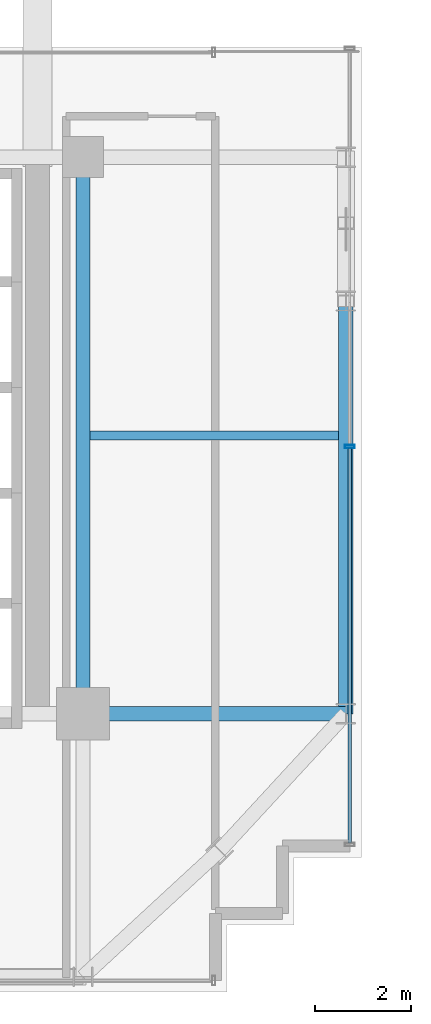
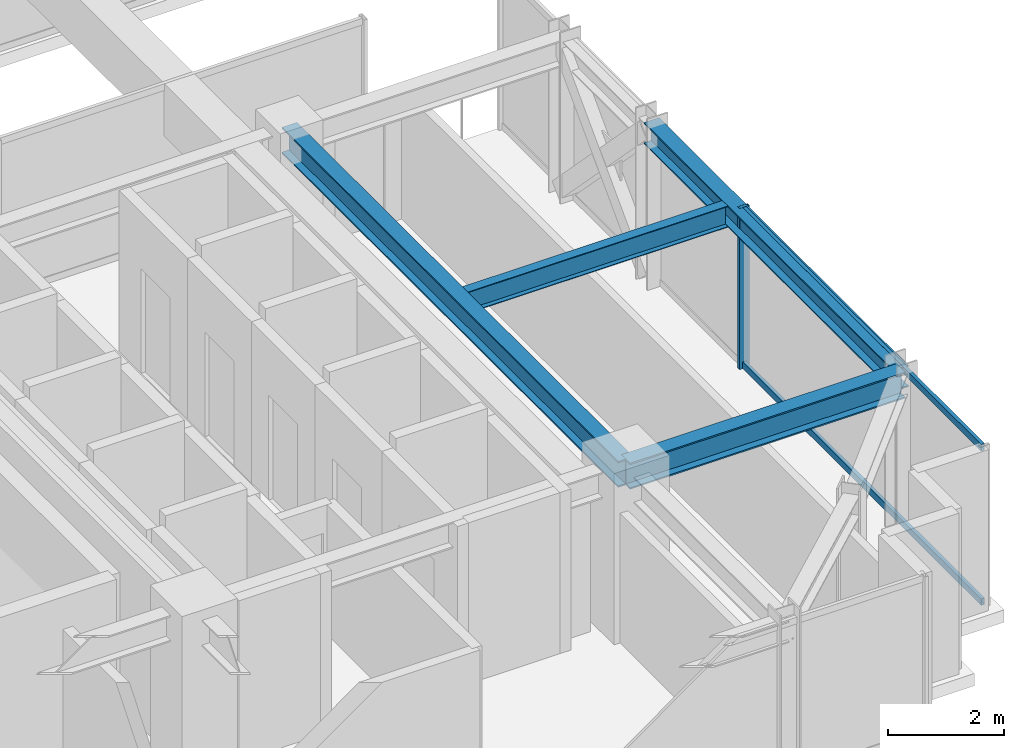
# One storey, part 14 of 38: 4 beams, 3 members, 1 element without a shape of its own.
"""IFC4 building model written with IfcOpenShell, lengths in metres."""

from ifc_helpers import new_model, si_unit, direction, frame, origin, origin_2d, place, context, subcontext, project, spatial, hollow_rectangle, i_section, extrude, source, transform, mapped, material, material_profile, profile_set, type_object, element, aggregate, save


model = new_model("IFC4")

# Units and contexts
model_context = context("Model", 3, precision=1e-05, world=origin(), true_north=direction((0.0, 1.0)))
body_context = subcontext(model_context, "Body", "Model", "MODEL_VIEW")
ifc_project = project(units=[si_unit("LENGTHUNIT", "METRE"), si_unit("AREAUNIT", "SQUARE_METRE"), si_unit("VOLUMEUNIT", "CUBIC_METRE"), si_unit("PLANEANGLEUNIT", "RADIAN"), si_unit("MASSUNIT", "GRAM", prefix="KILO")], contexts=[model_context])

# Site, building, storey
site_placement = place(None, origin())
site = spatial("IfcSite", under=ifc_project, at=site_placement, CompositionType="ELEMENT")
building_placement = place(site_placement, origin())
building = spatial("IfcBuilding", under=site, at=building_placement, Name="Nahalor Promenade Grand Hotel", CompositionType="ELEMENT")
storey_placement = place(building_placement, frame((0.0, 0.0, 163.60009765625)))
storey = spatial("IfcBuildingStorey", under=building, at=storey_placement, Name="L41", CompositionType="ELEMENT", Elevation=163.60009765625)

# Beams
ifc_material_1 = material(Name="Steel S355JR", Category="steel")
ifc_material_profile_1 = material_profile(ifc_material_1, i_section(OverallWidth=0.3, OverallDepth=0.55, WebThickness=0.015, FlangeThickness=0.029, at=origin_2d()), Name="HEB 550")
ifc_profile_set_1 = profile_set([ifc_material_profile_1], Name="Steel S355JR")
beam_type_1 = type_object("IfcBeamType", Name="Beam-Girder-HEB550", PredefinedType="BEAM", material=ifc_profile_set_1)
shared_shape_1 = source(origin(), body_context, "Body", "SweptSolid", [
    extrude(i_section(OverallWidth=0.3, OverallDepth=0.55, WebThickness=0.015, FlangeThickness=0.029, at=origin_2d()), origin(), (0.0, 0.0, 1.0), 11.60009765625),
])
beam_1_placement = place(storey_placement, frame((17.0, -17.0, 3.114990234375), z_axis=(0.0, 1.0, 0.0), x_axis=(-1.0, 0.0, 0.0)))
element("IfcBeam", 1, at=beam_1_placement, inside=storey, type_object=beam_type_1, Name="BM-L41-GY-5-1", PredefinedType="BEAM", context=body_context, shape_type="MappedRepresentation", body=[
    mapped(shared_shape_1, transform((0.0, 0.0, 0.0), scale=1.0)),
])
shared_shape_2 = source(origin(), body_context, "Body", "SweptSolid", [
    extrude(i_section(OverallWidth=0.3, OverallDepth=0.55, WebThickness=0.015, FlangeThickness=0.029, at=origin_2d()), origin(), (0.0, 0.0, 1.0), 5.47998046875),
])
beam_2_placement = place(storey_placement, frame((17.0, -17.0, 3.114990234375), z_axis=(1.0, 0.0, 0.0), x_axis=(0.0, 1.0, 0.0)))
element("IfcBeam", 2, at=beam_2_placement, inside=storey, type_object=beam_type_1, Name="BM-L41-GX-0-6", PredefinedType="BEAM", context=body_context, shape_type="MappedRepresentation", body=[
    mapped(shared_shape_2, transform((0.0, 0.0, 0.0), scale=1.0)),
])
ifc_material_profile_2 = material_profile(ifc_material_1, i_section(OverallWidth=0.19, OverallDepth=0.45, WebThickness=0.0094, FlangeThickness=0.0146, at=origin_2d()), Name="IPE 450")
ifc_profile_set_2 = profile_set([ifc_material_profile_2], Name="Steel S355JR")
beam_type_2 = type_object("IfcBeamType", Name="Beam-Joist-IPE450", PredefinedType="JOIST", material=ifc_profile_set_2)
shared_shape_3 = source(origin(), body_context, "Body", "SweptSolid", [
    extrude(i_section(OverallWidth=0.19, OverallDepth=0.45, WebThickness=0.0094, FlangeThickness=0.0146, at=origin_2d()), origin(), (0.0, 0.0, 1.0), 5.18017578125),
])
beam_3_placement = place(storey_placement, frame((17.14990234375, -11.199951171875, 3.164794921875), z_axis=(1.0, 0.0, 0.0), x_axis=(0.0, 1.0, 0.0)))
element("IfcBeam", 3, at=beam_3_placement, inside=storey, type_object=beam_type_2, Name="BM-L41-JSE-0-2", PredefinedType="JOIST", context=body_context, shape_type="MappedRepresentation", body=[
    mapped(shared_shape_3, transform((0.0, 0.0, 0.0), scale=1.0)),
])
ifc_material_profile_3 = material_profile(ifc_material_1, i_section(OverallWidth=0.3, OverallDepth=0.45, WebThickness=0.014, FlangeThickness=0.026, at=origin_2d()), Name="HEB 450")
ifc_profile_set_3 = profile_set([ifc_material_profile_3], Name="Steel S355JR")
beam_type_3 = type_object("IfcBeamType", Name="Beam-Spandrel-HEB450", PredefinedType="SPANDREL", material=ifc_profile_set_3)
shared_shape_4 = source(origin(), body_context, "Body", "SweptSolid", [
    extrude(i_section(OverallWidth=0.3, OverallDepth=0.45, WebThickness=0.014, FlangeThickness=0.026, at=origin_2d()), origin(), (0.0, 0.0, 1.0), 8.60009765625),
])
beam_4_placement = place(storey_placement, frame((22.47998046875, -17.0, 3.164794921875), z_axis=(0.0, 1.0, 0.0), x_axis=(-1.0, 0.0, 0.0)))
element("IfcBeam", 4, at=beam_4_placement, inside=storey, type_object=beam_type_3, Name="BM-L41-SP-E-0", PredefinedType="SPANDREL", context=body_context, shape_type="MappedRepresentation", body=[
    mapped(shared_shape_4, transform((0.0, 0.0, 0.0), scale=1.0)),
])

# Curtain wall, members
ifc_material_2 = material(Name="Anodised Bronze Aluminium EN AW-6063 T6", Category="aluminium")
curtain_wall_type = type_object("IfcCurtainWallType", Name="CW3 Elliptical-Void Collar Unitised Curtain Wall", PredefinedType="USERDEFINED", material=ifc_material_2)
curtain_wall_placement = place(storey_placement, origin())
curtain_wall = element("IfcCurtainWall", 5, at=curtain_wall_placement, inside=storey, type_object=curtain_wall_type, Name="L41 Curtain Wall CW-L41-E-1", ObjectType="UNITISED_CURTAIN_WALL", PredefinedType="USERDEFINED")
ifc_material_profile_4 = material_profile(ifc_material_2, hollow_rectangle(XDim=0.07, YDim=0.2, WallThickness=0.005, at=origin_2d()), Name="CWM 70x200x5")
ifc_profile_set_4 = profile_set([ifc_material_profile_4], Name="Anodised Bronze Aluminium EN AW-6063 T6")
member_type_1 = type_object("IfcMemberType", Name="CWM3 Void Collar Mullion 70x200", PredefinedType="MULLION", material=ifc_profile_set_4)
shared_shape_5 = source(origin(), body_context, "Body", "SweptSolid", [
    extrude(hollow_rectangle(XDim=0.07, YDim=0.2, WallThickness=0.005, at=origin_2d()), origin(), (0.0, 0.0, 1.0), 3.389892578125),
])
member_1_placement = place(storey_placement, frame((22.56005859375, -11.429931640625, 0.0), z_axis=(0.0, 0.0, 1.0), x_axis=(0.0, 1.0, 0.0)))
member_1 = element("IfcMember", 6, at=member_1_placement, type_object=member_type_1, Name="CW-L41-E-1 Mullion 1", PredefinedType="MULLION", context=body_context, shape_type="MappedRepresentation", body=[
    mapped(shared_shape_5, transform((0.0, 0.0, 0.0), scale=1.0)),
])
ifc_material_profile_5 = material_profile(ifc_material_2, hollow_rectangle(XDim=0.07, YDim=0.14, WallThickness=0.004, at=origin_2d()), Name="CWT 70x140x4")
ifc_profile_set_5 = profile_set([ifc_material_profile_5], Name="Anodised Bronze Aluminium EN AW-6063 T6")
member_type_2 = type_object("IfcMemberType", Name="CWT3 Void Collar Transom 70x140", PredefinedType="USERDEFINED", material=ifc_profile_set_5)
shared_shape_6 = source(origin(), body_context, "Body", "SweptSolid", [
    extrude(hollow_rectangle(XDim=0.07, YDim=0.14, WallThickness=0.004, at=origin_2d()), origin(), (0.0, 0.0, 1.0), 8.224853515625),
])
member_2_placement = place(storey_placement, frame((22.56005859375, -19.68994140625, 0.06982421875), z_axis=(0.0, 1.0, 0.0), x_axis=(-1.0, 0.0, 0.0)))
member_2 = element("IfcMember", 7, at=member_2_placement, type_object=member_type_2, Name="CW-L41-E-1 Transom 0-0", ObjectType="TRANSOM", PredefinedType="USERDEFINED", context=body_context, shape_type="MappedRepresentation", body=[
    mapped(shared_shape_6, transform((0.0, 0.0, 0.0), scale=1.0)),
])
member_3_placement = place(storey_placement, frame((22.56005859375, -19.68994140625, 3.31982421875), z_axis=(0.0, 1.0, 0.0), x_axis=(-1.0, 0.0, 0.0)))
member_3 = element("IfcMember", 8, at=member_3_placement, type_object=member_type_2, Name="CW-L41-E-1 Transom 0-1", ObjectType="TRANSOM", PredefinedType="USERDEFINED", context=body_context, shape_type="MappedRepresentation", body=[
    mapped(shared_shape_6, transform((0.0, 0.0, 0.0), scale=1.0)),
])
aggregate(curtain_wall, [member_1, member_2, member_3])

save(model, "model.ifc")
